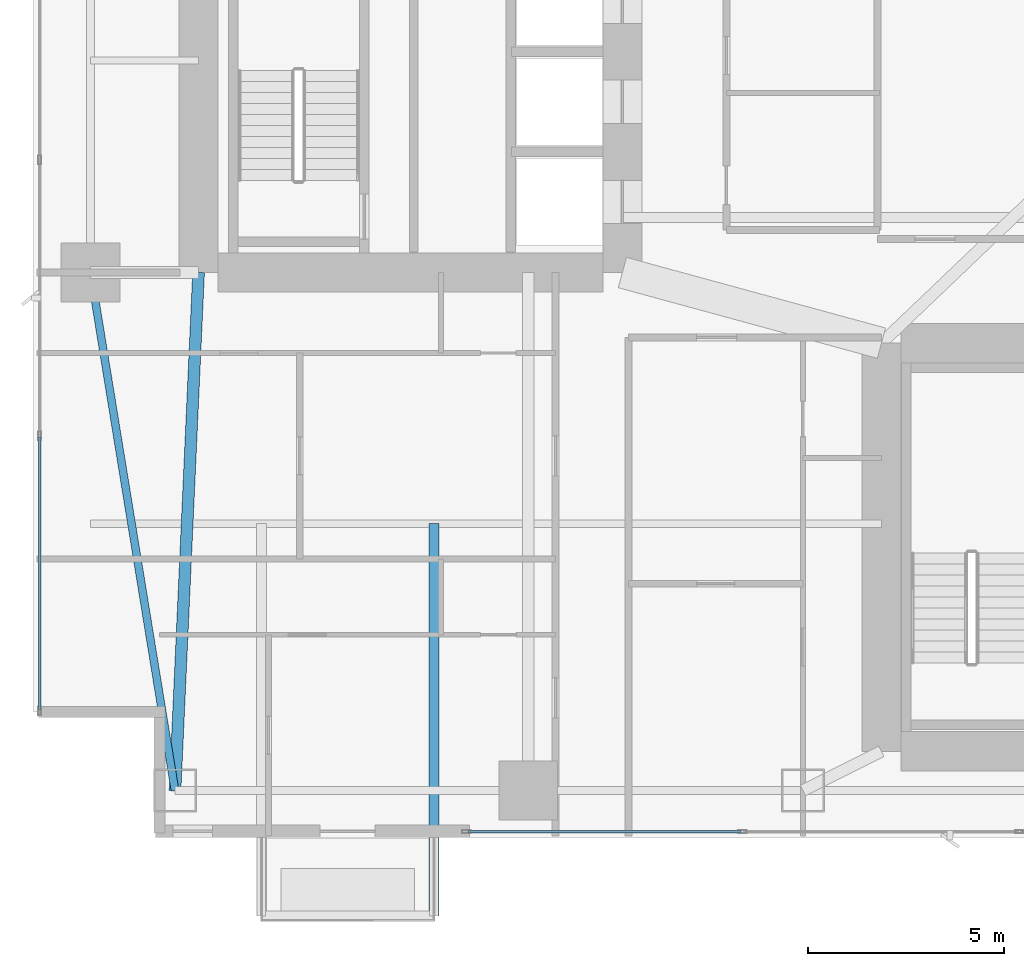
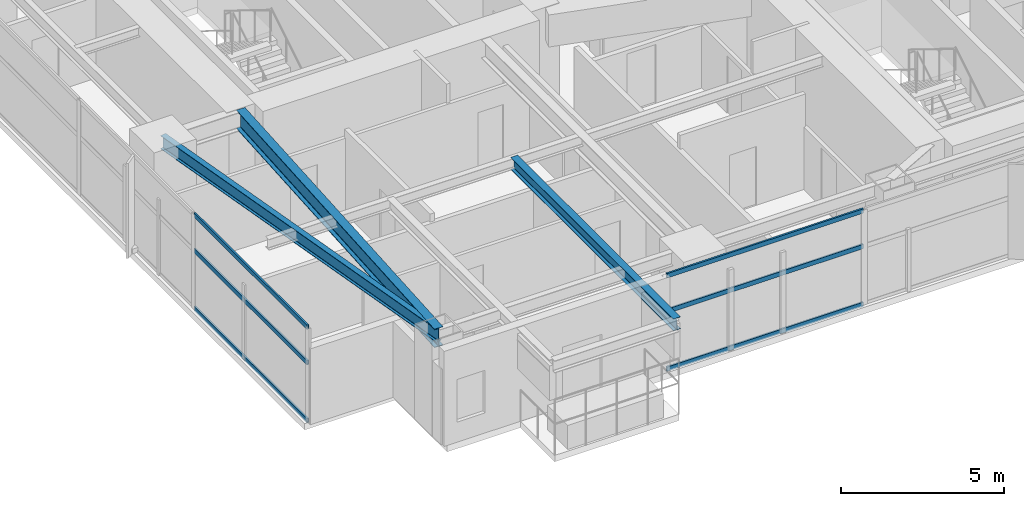
# One storey, part 3 of 29: 6 members, 3 beams, 2 elements without a shape of their own.
"""IFC4 building model written with IfcOpenShell, lengths in metres."""

from ifc_helpers import new_model, si_unit, direction, frame, origin, origin_2d, place, context, subcontext, project, spatial, hollow_rectangle, i_section, extrude, material, layer, layer_set, material_profile, profile_set, type_object, element, aggregate, save


model = new_model("IFC4")

# Units and contexts
model_context = context("Model", 3, precision=1e-05, world=origin(), true_north=direction((0.0, 1.0)))
body_context = subcontext(model_context, "Body", "Model", "MODEL_VIEW")
ifc_project = project(units=[si_unit("LENGTHUNIT", "METRE"), si_unit("AREAUNIT", "SQUARE_METRE"), si_unit("VOLUMEUNIT", "CUBIC_METRE"), si_unit("PLANEANGLEUNIT", "RADIAN"), si_unit("MASSUNIT", "GRAM", prefix="KILO")], contexts=[model_context])

# Site, building, storey
site_placement = place(None, origin())
site = spatial("IfcSite", under=ifc_project, at=site_placement, CompositionType="ELEMENT")
building_placement = place(site_placement, origin())
building = spatial("IfcBuilding", under=site, at=building_placement, Name="Calvorn Quay Hotel", CompositionType="ELEMENT")
storey_placement = place(building_placement, frame((0.0, 0.0, 34.60009765625)))
storey = spatial("IfcBuildingStorey", under=building, at=storey_placement, Name="L07", CompositionType="ELEMENT", Elevation=34.60009765625)

# Beams
ifc_material_1 = material(Name="Steel Q355B", Category="steel")
ifc_material_profile_1 = material_profile(ifc_material_1, i_section(OverallWidth=0.25, OverallDepth=0.449951171875, WebThickness=0.011962890625, FlangeThickness=0.01611328125, FilletRadius=0.01611328125, at=origin_2d()), Name="HN450x250x12x16")
ifc_profile_set_1 = profile_set([ifc_material_profile_1], Name="Steel Q355B")
beam_type_1 = type_object("IfcBeamType", Name="BM-CANT-BALC", PredefinedType="BEAM", material=ifc_profile_set_1)
beam_1_placement = place(storey_placement, frame((10.199951171875, 10.39990234375, 3.31494140625), z_axis=(0.0, -1.0, 0.0), x_axis=(1.0, 0.0, 0.0)))
element("IfcBeam", 1, at=beam_1_placement, inside=storey, type_object=beam_type_1, Name="Cantilever Balcony Beam BCB-L08-2B", PredefinedType="BEAM", context=body_context, shape_type="SweptSolid", body=[
    extrude(i_section(OverallWidth=0.25, OverallDepth=0.449951171875, WebThickness=0.011962890625, FlangeThickness=0.01611328125, FilletRadius=0.01611328125, at=origin_2d()), origin(), (0.0, 0.0, 1.0), 9.989990234375),
])
ifc_material_2 = material(Name="Steel Q390GJC", Category="steel")
ifc_material_profile_2 = material_profile(ifc_material_2, i_section(OverallWidth=0.300048828125, OverallDepth=0.699951171875, WebThickness=0.012939453125, FlangeThickness=0.02392578125, FilletRadius=0.02392578125, at=origin_2d()), Name="HN700x300x13x24")
ifc_profile_set_2 = profile_set([ifc_material_profile_2], Name="Steel Q390GJC")
beam_type_2 = type_object("IfcBeamType", Name="BM-GIRD-MAIN", PredefinedType="BEAM", material=ifc_profile_set_2)
beam_2_placement = place(storey_placement, frame((3.60009765625, 3.60009765625, 3.18994140625), z_axis=(0.045396765494, 0.998969035397, 0.0), x_axis=(-0.998969035397, 0.045396765494, 0.0)))
element("IfcBeam", 2, at=beam_2_placement, inside=storey, type_object=beam_type_2, Name="Beam BG-L07-W0", PredefinedType="BEAM", context=body_context, shape_type="SweptSolid", body=[
    extrude(i_section(OverallWidth=0.300048828125, OverallDepth=0.699951171875, WebThickness=0.012939453125, FlangeThickness=0.02392578125, FilletRadius=0.02392578125, at=origin_2d()), origin(), (0.0, 0.0, 1.0), 13.213623046875),
])
ifc_material_3 = material(Name="Steel Q355B", Category="steel")
ifc_material_profile_3 = material_profile(ifc_material_3, i_section(OverallWidth=0.199951171875, OverallDepth=0.5, WebThickness=0.010009765625, FlangeThickness=0.01611328125, FilletRadius=0.01611328125, at=origin_2d()), Name="HN500x200x10x16")
ifc_profile_set_3 = profile_set([ifc_material_profile_3], Name="Steel Q355B")
beam_type_3 = type_object("IfcBeamType", Name="BM-SPANDREL-Z1", PredefinedType="SPANDREL", material=ifc_profile_set_3)
beam_3_placement = place(storey_placement, frame((3.60009765625, 3.60009765625, 3.289794921875), z_axis=(-0.16077155054, 0.986991645627, 0.0), x_axis=(-0.986991645627, -0.16077155054, 0.0)))
element("IfcBeam", 3, at=beam_3_placement, inside=storey, type_object=beam_type_3, Name="Beam BSP-L07-W1", PredefinedType="SPANDREL", context=body_context, shape_type="SweptSolid", body=[
    extrude(i_section(OverallWidth=0.199951171875, OverallDepth=0.5, WebThickness=0.010009765625, FlangeThickness=0.01611328125, FilletRadius=0.01611328125, at=origin_2d()), origin(), (0.0, 0.0, 1.0), 13.3740234375),
])

# Curtain wall, members
ifc_material_4 = material(Name="Pale Anodised Aluminium and Low-E Glass", Category="aluminium")
ifc_layer = layer(ifc_material_4, 0.219970703125)
ifc_layer_set = layer_set([ifc_layer], Name="CW-SYS-Z1")
curtain_wall_type = type_object("IfcCurtainWallType", Name="CW-SYS-Z1", PredefinedType="NOTDEFINED", material=ifc_layer_set)
curtain_wall_1_placement = place(storey_placement, origin())
curtain_wall_1 = element("IfcCurtainWall", 4, at=curtain_wall_1_placement, inside=storey, type_object=curtain_wall_type, Name="Tower West Curtain Wall (L07)", PredefinedType="NOTDEFINED")
ifc_material_5 = material(Name="Pale Anodised Aluminium 6063-T6", Category="aluminium")
ifc_material_profile_4 = material_profile(ifc_material_5, hollow_rectangle(XDim=0.06494140625, YDim=0.1650390625, WallThickness=0.00341796875, at=origin_2d()), Name="ALU-T165x65x3.5")
ifc_profile_set_4 = profile_set([ifc_material_profile_4], Name="Pale Anodised Aluminium 6063-T6")
member_type = type_object("IfcMemberType", Name="CW-SYS-Z1-TRN", PredefinedType="USERDEFINED", material=ifc_profile_set_4)
member_1_placement = place(storey_placement, frame((0.14990234375, 5.659912109375, 0.02978515625), z_axis=(0.0, 1.0, 0.0), x_axis=(-1.0, 0.0, 0.0)))
member_1 = element("IfcMember", 5, at=member_1_placement, type_object=member_type, Name="CW-L07-W transom 1.1", ObjectType="TRANSOM", PredefinedType="USERDEFINED", context=body_context, shape_type="SweptSolid", body=[
    extrude(hollow_rectangle(XDim=0.06494140625, YDim=0.1650390625, WallThickness=0.00341796875, at=origin_2d()), origin(), (0.0, 0.0, 1.0), 6.943359375),
])
member_2_placement = place(storey_placement, frame((0.14990234375, 5.659912109375, 2.199951171875), z_axis=(0.0, 1.0, 0.0), x_axis=(-1.0, 0.0, 0.0)))
member_2 = element("IfcMember", 6, at=member_2_placement, type_object=member_type, Name="CW-L07-W transom 1.2", ObjectType="TRANSOM", PredefinedType="USERDEFINED", context=body_context, shape_type="SweptSolid", body=[
    extrude(hollow_rectangle(XDim=0.06494140625, YDim=0.1650390625, WallThickness=0.00341796875, at=origin_2d()), origin(), (0.0, 0.0, 1.0), 6.943359375),
])
member_3_placement = place(storey_placement, frame((0.14990234375, 5.659912109375, 3.52978515625), z_axis=(0.0, 1.0, 0.0), x_axis=(-1.0, 0.0, 0.0)))
member_3 = element("IfcMember", 7, at=member_3_placement, type_object=member_type, Name="CW-L07-W transom 1.3", ObjectType="TRANSOM", PredefinedType="USERDEFINED", context=body_context, shape_type="SweptSolid", body=[
    extrude(hollow_rectangle(XDim=0.06494140625, YDim=0.1650390625, WallThickness=0.00341796875, at=origin_2d()), origin(), (0.0, 0.0, 1.0), 6.943359375),
])
aggregate(curtain_wall_1, [member_1, member_2, member_3])

curtain_wall_2_placement = place(storey_placement, origin())
curtain_wall_2 = element("IfcCurtainWall", 8, at=curtain_wall_2_placement, inside=storey, type_object=curtain_wall_type, Name="Tower South Waterfront Curtain Wall (L07)", PredefinedType="NOTDEFINED")
member_4_placement = place(storey_placement, frame((11.06005859375, 2.550048828125, 0.02978515625), z_axis=(1.0, 0.0, 0.0), x_axis=(0.0, 1.0, 0.0)))
member_4 = element("IfcMember", 9, at=member_4_placement, type_object=member_type, Name="CW-L07-S transom 1.1", ObjectType="TRANSOM", PredefinedType="USERDEFINED", context=body_context, shape_type="SweptSolid", body=[
    extrude(hollow_rectangle(XDim=0.06494140625, YDim=0.1650390625, WallThickness=0.00341796875, at=origin_2d()), origin(), (0.0, 0.0, 1.0), 6.967041015625),
])
member_5_placement = place(storey_placement, frame((11.06005859375, 2.550048828125, 2.199951171875), z_axis=(1.0, 0.0, 0.0), x_axis=(0.0, 1.0, 0.0)))
member_5 = element("IfcMember", 10, at=member_5_placement, type_object=member_type, Name="CW-L07-S transom 1.2", ObjectType="TRANSOM", PredefinedType="USERDEFINED", context=body_context, shape_type="SweptSolid", body=[
    extrude(hollow_rectangle(XDim=0.06494140625, YDim=0.1650390625, WallThickness=0.00341796875, at=origin_2d()), origin(), (0.0, 0.0, 1.0), 6.967041015625),
])
member_6_placement = place(storey_placement, frame((11.06005859375, 2.550048828125, 3.52978515625), z_axis=(1.0, 0.0, 0.0), x_axis=(0.0, 1.0, 0.0)))
member_6 = element("IfcMember", 11, at=member_6_placement, type_object=member_type, Name="CW-L07-S transom 1.3", ObjectType="TRANSOM", PredefinedType="USERDEFINED", context=body_context, shape_type="SweptSolid", body=[
    extrude(hollow_rectangle(XDim=0.06494140625, YDim=0.1650390625, WallThickness=0.00341796875, at=origin_2d()), origin(), (0.0, 0.0, 1.0), 6.967041015625),
])
aggregate(curtain_wall_2, [member_4, member_5, member_6])

save(model, "model.ifc")
